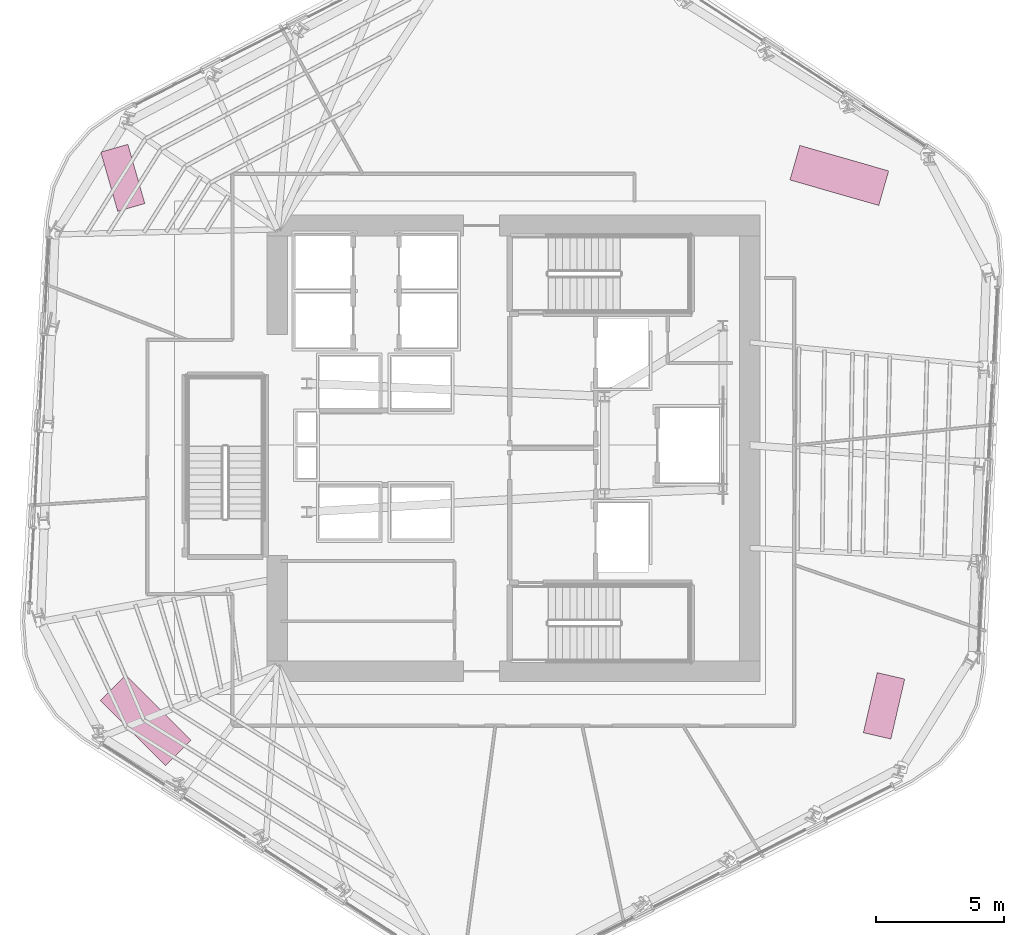
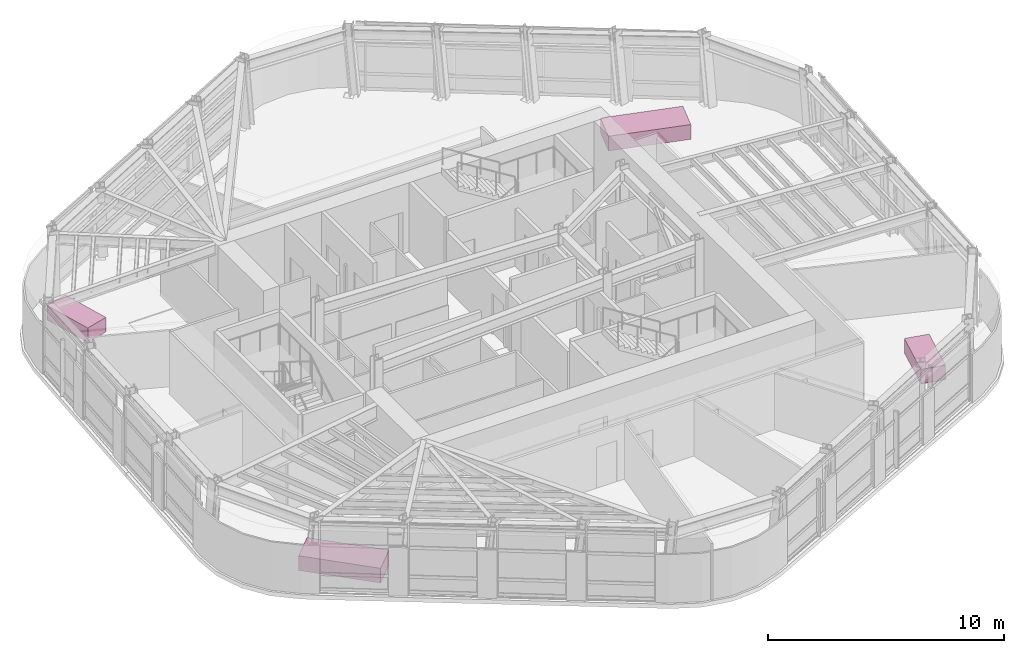
# One storey, part 14 of 14: 4 furniture elements.
"""IFC4 building model written with IfcOpenShell, lengths in metres."""

from ifc_helpers import new_model, si_unit, direction, frame, origin, origin_2d, place, context, subcontext, project, spatial, rectangle, extrude, material, type_object, element, save


model = new_model("IFC4")

# Units and contexts
model_context = context("Model", 3, precision=1e-05, world=origin(), true_north=direction((0.0, 1.0)))
body_context = subcontext(model_context, "Body", "Model", "MODEL_VIEW")
ifc_project = project(units=[si_unit("LENGTHUNIT", "METRE"), si_unit("AREAUNIT", "SQUARE_METRE"), si_unit("VOLUMEUNIT", "CUBIC_METRE"), si_unit("PLANEANGLEUNIT", "RADIAN"), si_unit("MASSUNIT", "GRAM", prefix="KILO")], contexts=[model_context])

# Site, building, storey
site_placement = place(None, origin())
site = spatial("IfcSite", under=ifc_project, at=site_placement, CompositionType="ELEMENT")
building_placement = place(site_placement, origin())
building = spatial("IfcBuilding", under=site, at=building_placement, Name="Valkerne Bourse Tower", CompositionType="ELEMENT")
storey_placement = place(building_placement, frame((0.0, 0.0, 140.0)))
storey = spatial("IfcBuildingStorey", under=building, at=storey_placement, Name="L35", CompositionType="ELEMENT", Elevation=140.0)

# Furniture
ifc_material = material(Name="Architectural White Oak Timber", Category="wood")
furniture_type_1 = type_object("IfcFurnitureType", Name="FURN-CONF-3600", AssemblyPlace="NOTDEFINED", PredefinedType="TABLE", material=ifc_material)
for number, where, z_axis, x_axis, name in (
    (1, (32.472900390625, 16.287109375, 0.044921875), (0.0, 0.0, 1.0), (-0.707106781187, 0.707106781187, 0.0), "L35 Suite Worktable 10"),
    (2, (59.47802734375, 37.4990234375, 0.044921875), (0.0, 0.0, 1.0), (-0.961261695938, 0.275637355817, 0.0), "L35 Suite Worktable 11"),
):
    element("IfcFurniture", number, at=place(storey_placement, frame(where, z_axis=z_axis, x_axis=x_axis)), inside=storey, type_object=furniture_type_1, Name=name, PredefinedType="TABLE", context=body_context, shape_type="SweptSolid", body=[
        extrude(rectangle(XDim=3.60009765625, YDim=1.39990234375, at=origin_2d()), origin(), (0.0, 0.0, 1.0), 0.760009765625),
    ])
furniture_type_2 = type_object("IfcFurnitureType", Name="FURN-DESK-2400", AssemblyPlace="NOTDEFINED", PredefinedType="DESK", material=ifc_material)
for number, where, z_axis, x_axis, name in (
    (3, (61.219970703125, 16.85302734375, 0.044921875), (0.0, 0.0, 1.0), (0.224951054344, 0.974370064785, 0.0), "L35 Suite Worktable 08"),
    (4, (31.587890625, 37.406005859375, 0.044921875), (0.0, 0.0, 1.0), (-0.275637355817, 0.961261695938, 0.0), "L35 Suite Worktable 09"),
):
    element("IfcFurniture", number, at=place(storey_placement, frame(where, z_axis=z_axis, x_axis=x_axis)), inside=storey, type_object=furniture_type_2, Name=name, PredefinedType="DESK", context=body_context, shape_type="SweptSolid", body=[
        extrude(rectangle(XDim=2.39990234375, YDim=1.10009765625, at=origin_2d()), origin(), (0.0, 0.0, 1.0), 0.75),
    ])

save(model, "model.ifc")
